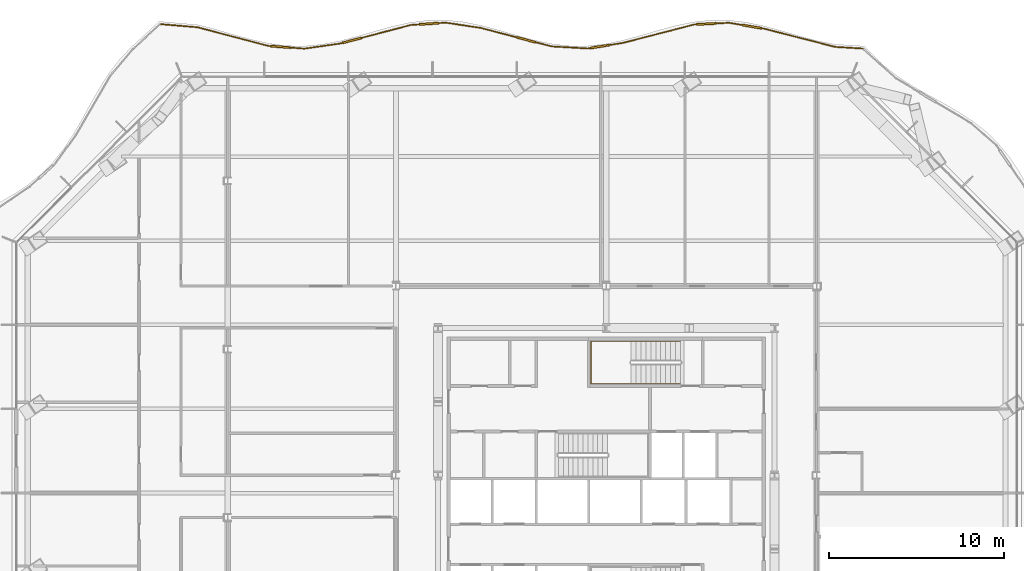
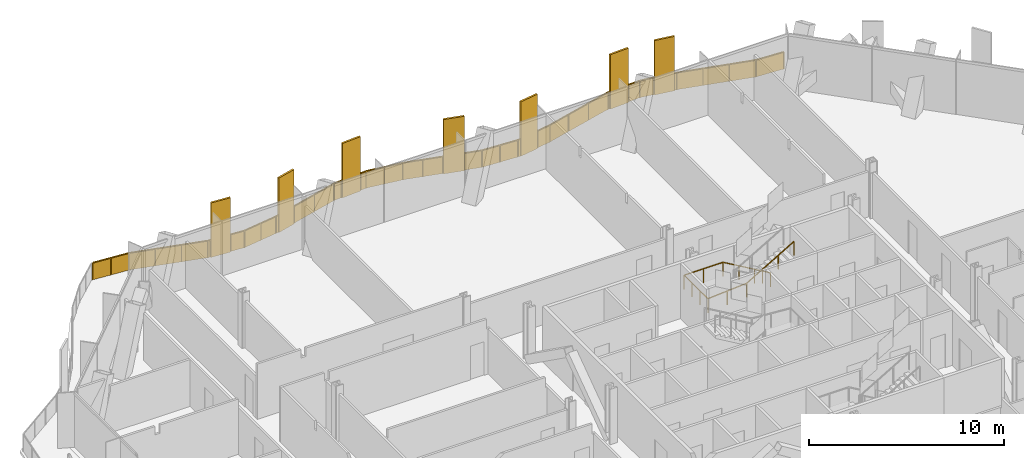
# One storey, part 18 of 19: 2 railings.
"""IFC4 building model written with IfcOpenShell, lengths in metres."""

import ifcopenshell
import ifcopenshell.guid

model = None  # the IFC model being written
_history = None  # IfcOwnerHistory: only IFC2X3 demands one
_inside = {}  # id of a spatial element -> (the spatial element, [elements in it])
_under = {}  # id of a project, library or spatial element -> (it, [spatial elements below it])
_declared = {}  # id of a project -> (the project, [libraries it declares])
_typed = {}  # id of a type object -> (the type object, [elements of that type])
_made_of = {}  # id of a material, layer set ... -> (it, [elements and type objects made of it])


def new_model(schema):
    """Start an empty IFC model of exactly this schema.

    Asked for "IFC4X3", IfcOpenShell would pick the latest addendum, in which some entities
    have other attributes; the version numbers below select the first issue.
    IFC2X3 requires an IfcOwnerHistory on every rooted entity: one is made here for all.
    """
    global model, _history
    if schema == "IFC4X3":
        model = ifcopenshell.file(schema_version=(4, 3, 0, 0))
    else:
        model = ifcopenshell.file(schema=schema)
    _inside.clear()
    _under.clear()
    _declared.clear()
    _typed.clear()
    _made_of.clear()
    _history = None
    if model.schema == "IFC2X3":
        org = make("IfcOrganization", Name="unknown")
        user = make(
            "IfcPersonAndOrganization",
            ThePerson=make("IfcPerson", FamilyName="unknown"),
            TheOrganization=org,
        )
        app = make(
            "IfcApplication",
            ApplicationDeveloper=org,
            Version="unknown",
            ApplicationFullName="unknown",
            ApplicationIdentifier="unknown",
        )
        _history = make(
            "IfcOwnerHistory",
            OwningUser=user,
            OwningApplication=app,
            ChangeAction="ADDED",
            CreationDate=0,
        )
    return model


def make(cls, **values):
    """One entity of the class cls with the attributes given. An attribute that is None is left unset."""
    return model.create_entity(
        cls, **{name: value for name, value in values.items() if value is not None}
    )


def rooted(cls, **values):
    """An entity with a GlobalId (a new one), such as an element, a storey or a relation."""
    return make(cls, GlobalId=ifcopenshell.guid.new(), OwnerHistory=_history, **values)


def si_unit(unit_type, name, prefix=None):
    """IfcSIUnit, for example si_unit("LENGTHUNIT", "METRE", prefix="MILLI")."""
    return make("IfcSIUnit", UnitType=unit_type, Prefix=prefix, Name=name)


def assignment(units):
    """IfcUnitAssignment: the units of a project."""
    return None if units is None else make("IfcUnitAssignment", Units=units)


def point(xyz):
    """IfcCartesianPoint."""
    return None if xyz is None else make("IfcCartesianPoint", Coordinates=xyz)


def direction(xyz):
    """IfcDirection."""
    return None if xyz is None else make("IfcDirection", DirectionRatios=xyz)


def frame(location, z_axis=None, x_axis=None):
    """IfcAxis2Placement3D, a coordinate frame: its origin and axes. An axis left out is left unset."""
    return make(
        "IfcAxis2Placement3D",
        Location=point(location),
        Axis=direction(z_axis),
        RefDirection=direction(x_axis),
    )


def frame_2d(location, x_axis=None):
    """IfcAxis2Placement2D, a coordinate frame in the plane: its origin and x axis."""
    return make(
        "IfcAxis2Placement2D", Location=point(location), RefDirection=direction(x_axis)
    )


def origin():
    """The frame at (0, 0, 0) with its axes left unset."""
    return frame((0.0, 0.0, 0.0))


def origin_2d():
    """The frame at (0, 0) in the plane with its x axis left unset."""
    return frame_2d((0.0, 0.0))


def place(relative_to, where):
    """IfcLocalPlacement: puts the frame where relative to a parent placement (None: the world)."""
    return make(
        "IfcLocalPlacement", PlacementRelTo=relative_to, RelativePlacement=where
    )


def context(
    kind, dimensions, precision=None, world=None, true_north=None, identifier=None
):
    """IfcGeometricRepresentationContext, for example the 3D "Model" context."""
    return make(
        "IfcGeometricRepresentationContext",
        ContextIdentifier=identifier,
        ContextType=kind,
        CoordinateSpaceDimension=dimensions,
        Precision=precision,
        WorldCoordinateSystem=world,
        TrueNorth=true_north,
    )


def subcontext(parent, identifier, kind, view, scale=None):
    """IfcGeometricRepresentationSubContext, for example "Body" below "Model"."""
    return make(
        "IfcGeometricRepresentationSubContext",
        ContextIdentifier=identifier,
        ContextType=kind,
        ParentContext=parent,
        TargetScale=scale,
        TargetView=view,
    )


def project(units=None, contexts=None):
    """IfcProject with its units and contexts."""
    return rooted(
        "IfcProject",
        Name="project",
        RepresentationContexts=contexts,
        UnitsInContext=assignment(units),
    )


def spatial(cls, under=None, at=None, **own):
    """A site, building, storey or space (cls), placed at a placement, below another one or the project."""
    s = rooted(cls, ObjectPlacement=at, **own)
    if under is not None:
        _under.setdefault(under.id(), (under, []))[1].append(s)
    return s


def polyline(points):
    """IfcPolyline through the points."""
    return make("IfcPolyline", Points=[point(p) for p in points])


def profile(cls, at=None, kind="AREA", **sizes):
    """A parametric profile (cls). Its sizes go by their IFC names, for example OverallWidth=200.0."""
    return make(cls, ProfileType=kind, Position=at, **sizes)


def rectangle(**sizes):
    """IfcRectangleProfileDef."""
    return profile("IfcRectangleProfileDef", **sizes)


def outline(outer, holes=None, kind="AREA"):
    """IfcArbitraryClosedProfileDef: a profile drawn as a closed curve; with holes, ...WithVoids."""
    if holes is None:
        return make("IfcArbitraryClosedProfileDef", ProfileType=kind, OuterCurve=outer)
    return make(
        "IfcArbitraryProfileDefWithVoids",
        ProfileType=kind,
        OuterCurve=outer,
        InnerCurves=holes,
    )


def extrude(swept, where, along, depth):
    """IfcExtrudedAreaSolid: the profile swept, set in the frame where, extruded along a direction by depth."""
    return make(
        "IfcExtrudedAreaSolid",
        SweptArea=swept,
        Position=where,
        ExtrudedDirection=direction(along),
        Depth=depth,
    )


def shape(context_of_items, identifier, shape_type, items):
    """IfcShapeRepresentation: the items that make up one representation, for example the "Body"."""
    return make(
        "IfcShapeRepresentation",
        ContextOfItems=context_of_items,
        RepresentationIdentifier=identifier,
        RepresentationType=shape_type,
        Items=items,
    )


def material(Name=None, Category=None):
    """IfcMaterial."""
    return make("IfcMaterial", Name=Name, Category=Category)


def made_of(thing, what):
    """Note that an element or type object is made of a material, layer set ...; save() writes the relation."""
    if what is not None:
        _made_of.setdefault(what.id(), (what, []))[1].append(thing)
    return thing


def type_object(cls, material=None, **own):
    """A type object (cls), such as IfcWallType, which elements share."""
    return made_of(rooted(cls, **own), material)


def element(
    cls,
    number,
    at=None,
    inside=None,
    cuts=None,
    type_object=None,
    material=None,
    context=None,
    identifier="Body",
    shape_type=None,
    held_by="IfcProductDefinitionShape",
    body=None,
    shapes=None,
    **own,
):
    """One element of the class cls, such as IfcWall. Its Tag is "e" and its number.

    at: its placement. inside: the storey or other place that contains it. cuts: it is an
    opening in that element (IfcRelVoidsElement). A single representation is given by context,
    identifier, shape_type and body (its items); several are given by shapes. held_by: the class
    of the entity that holds the representations. save() writes the other relations.
    """
    e = rooted(cls, Tag="e%d" % number, ObjectPlacement=at, **own)
    if body is not None:
        shapes = [shape(context, identifier, shape_type, body)]
    if shapes is not None:
        e.Representation = make(held_by, Representations=shapes)
    if inside is not None:
        _inside.setdefault(inside.id(), (inside, []))[1].append(e)
    if cuts is not None:
        rooted(
            "IfcRelVoidsElement", RelatingBuildingElement=cuts, RelatedOpeningElement=e
        )
    if type_object is not None:
        _typed.setdefault(type_object.id(), (type_object, []))[1].append(e)
    return made_of(e, material)


def aggregate(whole, parts):
    """IfcRelAggregates: a whole, such as a stair, and the parts it consists of."""
    return rooted("IfcRelAggregates", RelatingObject=whole, RelatedObjects=parts)


def save(model, path):
    """Write the relations noted so far, then the file.

    IfcRelAggregates (storeys below a building ...), IfcRelContainedInSpatialStructure (elements
    in a storey), IfcRelDefinesByType, IfcRelAssociatesMaterial and IfcRelDeclares: one each for
    every whole, place, type object, material and project.
    """
    for whole, parts in _under.values():
        aggregate(whole, parts)
    for where, things in _inside.values():
        rooted(
            "IfcRelContainedInSpatialStructure",
            RelatedElements=things,
            RelatingStructure=where,
        )
    for kind, things in _typed.values():
        rooted("IfcRelDefinesByType", RelatedObjects=things, RelatingType=kind)
    for what, things in _made_of.values():
        rooted("IfcRelAssociatesMaterial", RelatedObjects=things, RelatingMaterial=what)
    for by, libraries in _declared.values():
        rooted("IfcRelDeclares", RelatingContext=by, RelatedDefinitions=libraries)
    model.write(path)


model = new_model("IFC4")

# Units and contexts
model_context = context("Model", 3, precision=1e-05, world=origin(), true_north=direction((0.0, 1.0)))
body_context = subcontext(model_context, "Body", "Model", "MODEL_VIEW")
ifc_project = project(units=[si_unit("LENGTHUNIT", "METRE"), si_unit("AREAUNIT", "SQUARE_METRE"), si_unit("VOLUMEUNIT", "CUBIC_METRE"), si_unit("PLANEANGLEUNIT", "RADIAN"), si_unit("MASSUNIT", "GRAM", prefix="KILO")], contexts=[model_context])

# Site, building, storey
site_placement = place(None, origin())
site = spatial("IfcSite", under=ifc_project, at=site_placement, CompositionType="ELEMENT")
building_placement = place(site_placement, origin())
building = spatial("IfcBuilding", under=site, at=building_placement, Name="Cairn Pilgrim Tower", CompositionType="ELEMENT")
storey_placement = place(building_placement, frame((0.0, 0.0, 97.800048828125)))
storey = spatial("IfcBuildingStorey", under=building, at=storey_placement, Name="L23", CompositionType="ELEMENT", Elevation=97.800048828125)

# Railings
ifc_material_1 = material(Name="Bronze anodised aluminium rail, posts and fin screens with laminated glass infill", Category="aluminium")
railing_type_1 = type_object("IfcRailingType", Name="BALCONY GUARD WITH FIN SCREENS", PredefinedType="GUARDRAIL", material=ifc_material_1)
railing_1_placement = place(storey_placement, frame((21.85009765625, 26.751953125, 0.0)))
element("IfcRailing", 1, at=railing_1_placement, inside=storey, type_object=railing_type_1, Name="Balcony guard BGF-5 with fin screens", PredefinedType="GUARDRAIL", context=body_context, shape_type="SweptSolid", body=[
    extrude(rectangle(XDim=0.050048828125, YDim=0.050048828125, at=origin_2d()), frame((0.0, 0.0, 1.0751953125), z_axis=(-0.998218141407, 0.059670278748, 0.0), x_axis=(-0.059670278748, -0.998218141407, 0.0)), (0.0, 0.0, 1.0), 1.599853515625),
    extrude(rectangle(XDim=0.050048828125, YDim=0.050048828125, at=origin_2d()), frame((-1.596923828125, 0.095458984375, 1.0751953125), z_axis=(-0.96855607418, 0.248795360024, 0.0), x_axis=(-0.248795360024, -0.96855607418, 0.0)), (0.0, 0.0, 1.0), 4.181396484375),
    extrude(rectangle(XDim=1.10009765625, YDim=0.110107421875, at=origin_2d()), frame((-6.337158203125, 1.251220703125, 0.0), z_axis=(0.0, 0.0, 1.0), x_axis=(-0.986305870656, 0.164926436659, 0.0)), (0.0, 0.0, 1.0), 3.39990234375),
    extrude(rectangle(XDim=0.050048828125, YDim=0.050048828125, at=origin_2d()), frame((-5.646728515625, 1.1357421875, 1.0751953125), z_axis=(-0.986305870656, 0.164926436659, 0.0), x_axis=(-0.164926436659, -0.986305870656, 0.0)), (0.0, 0.0, 1.0), 0.14990234375),
    extrude(rectangle(XDim=0.050048828125, YDim=0.050048828125, at=origin_2d()), frame((-6.879638671875, 1.341796875, 1.0751953125), z_axis=(-0.986305870656, 0.164926436659, 0.0), x_axis=(-0.164926436659, -0.986305870656, 0.0)), (0.0, 0.0, 1.0), 0.776611328125),
    extrude(rectangle(XDim=1.10009765625, YDim=0.110107421875, at=origin_2d()), frame((-8.935791015625, 1.40673828125, 0.0), z_axis=(0.0, 0.0, 1.0), x_axis=(-0.998797465844, -0.049026750072, 0.0)), (0.0, 0.0, 1.0), 3.39990234375),
    extrude(rectangle(XDim=0.050048828125, YDim=0.050048828125, at=origin_2d()), frame((-7.6455078125, 1.469970703125, 1.0751953125), z_axis=(-0.998797465844, -0.049026750072, 0.0), x_axis=(0.049026750072, -0.998797465844, 0.0)), (0.0, 0.0, 1.0), 0.74169921875),
    extrude(rectangle(XDim=0.050048828125, YDim=0.050048828125, at=origin_2d()), frame((-9.485107421875, 1.379638671875, 1.0751953125), z_axis=(-0.998797465844, -0.049026750072, 0.0), x_axis=(0.049026750072, -0.998797465844, 0.0)), (0.0, 0.0, 1.0), 0.150146484375),
    extrude(rectangle(XDim=0.050048828125, YDim=0.050048828125, at=origin_2d()), frame((-9.635009765625, 1.372314453125, 1.0751953125), z_axis=(-0.968110661375, -0.250522947715, 0.0), x_axis=(0.250522947715, -0.968110661375, 0.0)), (0.0, 0.0, 1.0), 4.1669921875),
    extrude(rectangle(XDim=1.10009765625, YDim=0.110107421875, at=origin_2d()), frame((-15.02197265625, 0.112548828125, 0.0), z_axis=(0.0, 0.0, 1.0), x_axis=(-0.987526595636, -0.157452287731, 0.0)), (0.0, 0.0, 1.0), 3.39990234375),
    extrude(rectangle(XDim=0.050048828125, YDim=0.050048828125, at=origin_2d()), frame((-13.669189453125, 0.328369140625, 1.0751953125), z_axis=(-0.987526595636, -0.157452287731, 0.0), x_axis=(0.157452287731, -0.987526595636, 0.0)), (0.0, 0.0, 1.0), 0.820068359375),
    extrude(rectangle(XDim=0.050048828125, YDim=0.050048828125, at=origin_2d()), frame((-15.565185546875, 0.026123046875, 1.0751953125), z_axis=(-0.987526595636, -0.157452287731, 0.0), x_axis=(0.157452287731, -0.987526595636, 0.0)), (0.0, 0.0, 1.0), 0.150146484375),
    extrude(rectangle(XDim=0.050048828125, YDim=0.050048828125, at=origin_2d()), frame((-15.71337890625, 0.00244140625, 1.0751953125), z_axis=(-0.998298046355, 0.058318184504, 0.0), x_axis=(-0.058318184504, -0.998298046355, 0.0)), (0.0, 0.0, 1.0), 2.055419921875),
    extrude(rectangle(XDim=1.10009765625, YDim=0.110107421875, at=origin_2d()), frame((-19.21337890625, 0.49951171875, 0.0), z_axis=(0.0, 0.0, 1.0), x_axis=(-0.967706443735, 0.252079826154, 0.0)), (0.0, 0.0, 1.0), 3.39990234375),
    extrude(rectangle(XDim=0.050048828125, YDim=0.050048828125, at=origin_2d()), frame((-17.765380859375, 0.122314453125, 1.0751953125), z_axis=(-0.967706443735, 0.252079826154, 0.0), x_axis=(-0.252079826154, -0.967706443735, 0.0)), (0.0, 0.0, 1.0), 0.9462890625),
    extrude(rectangle(XDim=0.050048828125, YDim=0.050048828125, at=origin_2d()), frame((-19.74560546875, 0.63818359375, 1.0751953125), z_axis=(-0.967706443735, 0.252079826154, 0.0), x_axis=(-0.252079826154, -0.967706443735, 0.0)), (0.0, 0.0, 1.0), 2.1376953125),
    extrude(rectangle(XDim=0.050048828125, YDim=0.050048828125, at=origin_2d()), frame((-21.814208984375, 1.177001953125, 1.0751953125), z_axis=(-0.988740446314, 0.149640669014, 0.0), x_axis=(-0.149640669014, -0.988740446314, 0.0)), (0.0, 0.0, 1.0), 2.019775390625),
    extrude(rectangle(XDim=1.10009765625, YDim=0.110107421875, at=origin_2d()), frame((-24.767333984375, 1.41455078125, 0.0), z_axis=(0.0, 0.0, 1.0), x_axis=(-0.9977246534, -0.067420441995, 0.0)), (0.0, 0.0, 1.0), 3.39990234375),
    extrude(rectangle(XDim=0.050048828125, YDim=0.050048828125, at=origin_2d()), frame((-23.811279296875, 1.479248046875, 1.0751953125), z_axis=(-0.9977246534, -0.067420441995, 0.0), x_axis=(0.067420441995, -0.9977246534, 0.0)), (0.0, 0.0, 1.0), 0.408203125),
    extrude(rectangle(XDim=0.050048828125, YDim=0.050048828125, at=origin_2d()), frame((-25.31591796875, 1.377685546875, 1.0751953125), z_axis=(-0.9977246534, -0.067420441995, 0.0), x_axis=(0.067420441995, -0.9977246534, 0.0)), (0.0, 0.0, 1.0), 0.487060546875),
    extrude(rectangle(XDim=1.10009765625, YDim=0.110107421875, at=origin_2d()), frame((-29.1611328125, 0.465087890625, 0.0), z_axis=(0.0, 0.0, 1.0), x_axis=(-0.9673770032, -0.253341140913, 0.0)), (0.0, 0.0, 1.0), 3.39990234375),
    extrude(rectangle(XDim=0.050048828125, YDim=0.050048828125, at=origin_2d()), frame((-25.802001953125, 1.3447265625, 1.0751953125), z_axis=(-0.9673770032, -0.253341140913, 0.0), x_axis=(0.253341140913, -0.9673770032, 0.0)), (0.0, 0.0, 1.0), 2.922607421875),
    extrude(rectangle(XDim=0.050048828125, YDim=0.050048828125, at=origin_2d()), frame((-29.693359375, 0.32568359375, 1.0751953125), z_axis=(-0.9673770032, -0.253341140913, 0.0), x_axis=(0.253341140913, -0.9673770032, 0.0)), (0.0, 0.0, 1.0), 0.150146484375),
    extrude(rectangle(XDim=0.050048828125, YDim=0.050048828125, at=origin_2d()), frame((-29.838623046875, 0.28759765625, 1.0751953125), z_axis=(-0.98989981369, -0.141768680801, 0.0), x_axis=(0.141768680801, -0.98989981369, 0.0)), (0.0, 0.0, 1.0), 2.06640625),
    extrude(rectangle(XDim=1.10009765625, YDim=0.110107421875, at=origin_2d()), frame((-33.2373046875, 0.098388671875, 0.0), z_axis=(0.0, 0.0, 1.0), x_axis=(-0.997074697067, 0.07643329424, 0.0)), (0.0, 0.0, 1.0), 3.39990234375),
    extrude(rectangle(XDim=0.050048828125, YDim=0.050048828125, at=origin_2d()), frame((-31.88427734375, -0.00537109375, 1.0751953125), z_axis=(-0.997074697067, 0.07643329424, 0.0), x_axis=(-0.07643329424, -0.997074697067, 0.0)), (0.0, 0.0, 1.0), 0.80712890625),
    extrude(rectangle(XDim=0.050048828125, YDim=0.050048828125, at=origin_2d()), frame((-33.78564453125, 0.140380859375, 1.0751953125), z_axis=(-0.997074697067, 0.07643329424, 0.0), x_axis=(-0.07643329424, -0.997074697067, 0.0)), (0.0, 0.0, 1.0), 0.14990234375),
    extrude(rectangle(XDim=0.050048828125, YDim=0.050048828125, at=origin_2d()), frame((-33.935302734375, 0.15185546875, 1.0751953125), z_axis=(-0.967112353025, 0.254349555977, 0.0), x_axis=(-0.254349555977, -0.967112353025, 0.0)), (0.0, 0.0, 1.0), 4.18017578125),
    extrude(rectangle(XDim=0.050048828125, YDim=0.050048828125, at=origin_2d()), frame((-37.97802734375, 1.215087890625, 1.0751953125), z_axis=(-0.996431809888, 0.084401707581, 0.0), x_axis=(-0.084401707581, -0.996431809888, 0.0)), (0.0, 0.0, 1.0), 2.08544921875),
    extrude(rectangle(XDim=0.050048828125, YDim=0.050048828125, at=origin_2d()), origin(), (0.0, 0.0, 1.0), 1.050048828125),
    extrude(rectangle(XDim=0.050048828125, YDim=0.050048828125, at=origin_2d()), frame((-1.596923828125, 0.095458984375, 0.0)), (0.0, 0.0, 1.0), 1.050048828125),
    extrude(rectangle(XDim=0.050048828125, YDim=0.050048828125, at=origin_2d()), frame((-2.94677734375, 0.442138671875, 0.0)), (0.0, 0.0, 1.0), 1.050048828125),
    extrude(rectangle(XDim=0.050048828125, YDim=0.050048828125, at=origin_2d()), frame((-4.296875, 0.7890625, 0.0)), (0.0, 0.0, 1.0), 1.050048828125),
    extrude(rectangle(XDim=0.050048828125, YDim=0.050048828125, at=origin_2d()), frame((-5.646728515625, 1.1357421875, 0.0)), (0.0, 0.0, 1.0), 1.050048828125),
    extrude(rectangle(XDim=0.050048828125, YDim=0.050048828125, at=origin_2d()), frame((-5.77001953125, 1.15625, 0.0)), (0.0, 0.0, 1.0), 1.050048828125),
    extrude(rectangle(XDim=0.050048828125, YDim=0.050048828125, at=origin_2d()), frame((-6.904296875, 1.345947265625, 0.0)), (0.0, 0.0, 1.0), 1.050048828125),
    extrude(rectangle(XDim=0.050048828125, YDim=0.050048828125, at=origin_2d()), frame((-7.6455078125, 1.469970703125, 0.0)), (0.0, 0.0, 1.0), 1.050048828125),
    extrude(rectangle(XDim=0.050048828125, YDim=0.050048828125, at=origin_2d()), frame((-8.361328125, 1.434814453125, 0.0)), (0.0, 0.0, 1.0), 1.050048828125),
    extrude(rectangle(XDim=0.050048828125, YDim=0.050048828125, at=origin_2d()), frame((-9.510009765625, 1.37841796875, 0.0)), (0.0, 0.0, 1.0), 1.050048828125),
    extrude(rectangle(XDim=0.050048828125, YDim=0.050048828125, at=origin_2d()), frame((-9.635009765625, 1.372314453125, 0.0)), (0.0, 0.0, 1.0), 1.050048828125),
    extrude(rectangle(XDim=0.050048828125, YDim=0.050048828125, at=origin_2d()), frame((-10.979736328125, 1.0244140625, 0.0)), (0.0, 0.0, 1.0), 1.050048828125),
    extrude(rectangle(XDim=0.050048828125, YDim=0.050048828125, at=origin_2d()), frame((-12.324462890625, 0.67626953125, 0.0)), (0.0, 0.0, 1.0), 1.050048828125),
    extrude(rectangle(XDim=0.050048828125, YDim=0.050048828125, at=origin_2d()), frame((-13.669189453125, 0.328369140625, 0.0)), (0.0, 0.0, 1.0), 1.050048828125),
    extrude(rectangle(XDim=0.050048828125, YDim=0.050048828125, at=origin_2d()), frame((-14.4541015625, 0.203125, 0.0)), (0.0, 0.0, 1.0), 1.050048828125),
    extrude(rectangle(XDim=0.050048828125, YDim=0.050048828125, at=origin_2d()), frame((-15.58984375, 0.022216796875, 0.0)), (0.0, 0.0, 1.0), 1.050048828125),
    extrude(rectangle(XDim=0.050048828125, YDim=0.050048828125, at=origin_2d()), frame((-15.71337890625, 0.00244140625, 0.0)), (0.0, 0.0, 1.0), 1.050048828125),
    extrude(rectangle(XDim=0.050048828125, YDim=0.050048828125, at=origin_2d()), frame((-16.7392578125, 0.0625, 0.0)), (0.0, 0.0, 1.0), 1.050048828125),
    extrude(rectangle(XDim=0.050048828125, YDim=0.050048828125, at=origin_2d()), frame((-17.765380859375, 0.122314453125, 0.0)), (0.0, 0.0, 1.0), 1.050048828125),
    extrude(rectangle(XDim=0.050048828125, YDim=0.050048828125, at=origin_2d()), frame((-18.65673828125, 0.3544921875, 0.0)), (0.0, 0.0, 1.0), 1.050048828125),
    extrude(rectangle(XDim=0.050048828125, YDim=0.050048828125, at=origin_2d()), frame((-19.769775390625, 0.64453125, 0.0)), (0.0, 0.0, 1.0), 1.050048828125),
    extrude(rectangle(XDim=0.050048828125, YDim=0.050048828125, at=origin_2d()), frame((-20.7919921875, 0.91064453125, 0.0)), (0.0, 0.0, 1.0), 1.050048828125),
    extrude(rectangle(XDim=0.050048828125, YDim=0.050048828125, at=origin_2d()), frame((-21.814208984375, 1.177001953125, 0.0)), (0.0, 0.0, 1.0), 1.050048828125),
    extrude(rectangle(XDim=0.050048828125, YDim=0.050048828125, at=origin_2d()), frame((-22.812744140625, 1.328125, 0.0)), (0.0, 0.0, 1.0), 1.050048828125),
    extrude(rectangle(XDim=0.050048828125, YDim=0.050048828125, at=origin_2d()), frame((-23.811279296875, 1.479248046875, 0.0)), (0.0, 0.0, 1.0), 1.050048828125),
    extrude(rectangle(XDim=0.050048828125, YDim=0.050048828125, at=origin_2d()), frame((-24.193603515625, 1.453369140625, 0.0)), (0.0, 0.0, 1.0), 1.050048828125),
    extrude(rectangle(XDim=0.050048828125, YDim=0.050048828125, at=origin_2d()), frame((-25.341064453125, 1.3759765625, 0.0)), (0.0, 0.0, 1.0), 1.050048828125),
    extrude(rectangle(XDim=0.050048828125, YDim=0.050048828125, at=origin_2d()), frame((-25.802001953125, 1.3447265625, 0.0)), (0.0, 0.0, 1.0), 1.050048828125),
    extrude(rectangle(XDim=0.050048828125, YDim=0.050048828125, at=origin_2d()), frame((-27.203369140625, 0.977783203125, 0.0)), (0.0, 0.0, 1.0), 1.050048828125),
    extrude(rectangle(XDim=0.050048828125, YDim=0.050048828125, at=origin_2d()), frame((-28.60498046875, 0.610595703125, 0.0)), (0.0, 0.0, 1.0), 1.050048828125),
    extrude(rectangle(XDim=0.050048828125, YDim=0.050048828125, at=origin_2d()), frame((-29.717529296875, 0.3193359375, 0.0)), (0.0, 0.0, 1.0), 1.050048828125),
    extrude(rectangle(XDim=0.050048828125, YDim=0.050048828125, at=origin_2d()), frame((-29.838623046875, 0.28759765625, 0.0)), (0.0, 0.0, 1.0), 1.050048828125),
    extrude(rectangle(XDim=0.050048828125, YDim=0.050048828125, at=origin_2d()), frame((-30.861328125, 0.14111328125, 0.0)), (0.0, 0.0, 1.0), 1.050048828125),
    extrude(rectangle(XDim=0.050048828125, YDim=0.050048828125, at=origin_2d()), frame((-31.88427734375, -0.00537109375, 0.0)), (0.0, 0.0, 1.0), 1.050048828125),
    extrude(rectangle(XDim=0.050048828125, YDim=0.050048828125, at=origin_2d()), frame((-32.6640625, 0.054443359375, 0.0)), (0.0, 0.0, 1.0), 1.050048828125),
    extrude(rectangle(XDim=0.050048828125, YDim=0.050048828125, at=origin_2d()), frame((-33.810791015625, 0.142333984375, 0.0)), (0.0, 0.0, 1.0), 1.050048828125),
    extrude(rectangle(XDim=0.050048828125, YDim=0.050048828125, at=origin_2d()), frame((-33.935302734375, 0.15185546875, 0.0)), (0.0, 0.0, 1.0), 1.050048828125),
    extrude(rectangle(XDim=0.050048828125, YDim=0.050048828125, at=origin_2d()), frame((-35.282958984375, 0.50634765625, 0.0)), (0.0, 0.0, 1.0), 1.050048828125),
    extrude(rectangle(XDim=0.050048828125, YDim=0.050048828125, at=origin_2d()), frame((-36.63037109375, 0.860595703125, 0.0)), (0.0, 0.0, 1.0), 1.050048828125),
    extrude(rectangle(XDim=0.050048828125, YDim=0.050048828125, at=origin_2d()), frame((-37.97802734375, 1.215087890625, 0.0)), (0.0, 0.0, 1.0), 1.050048828125),
    extrude(rectangle(XDim=0.050048828125, YDim=0.050048828125, at=origin_2d()), frame((-39.01708984375, 1.30322265625, 0.0)), (0.0, 0.0, 1.0), 1.050048828125),
    extrude(rectangle(XDim=0.050048828125, YDim=0.050048828125, at=origin_2d()), frame((-40.05615234375, 1.39111328125, 0.0)), (0.0, 0.0, 1.0), 1.050048828125),
    extrude(outline(polyline([(0.02490234375, 0.0), (1.57470703125, 0.0), (1.57470703125, 1.050048828125), (0.02490234375, 1.050048828125), (0.02490234375, 0.0)])), frame((-0.000244140625, -0.005859375, 0.0), z_axis=(0.059670278748, 0.998218141407, 0.0), x_axis=(-0.998218141407, 0.059670278748, 0.0)), (0.0, 0.0, 1.0), 0.011962890625),
    extrude(outline(polyline([(0.02490234375, 0.0), (1.36865234375, 0.0), (1.36865234375, 1.050048828125), (0.02490234375, 1.050048828125), (0.02490234375, 0.0)])), frame((-1.598388671875, 0.089599609375, 0.0), z_axis=(0.248795360024, 0.96855607418, 0.0), x_axis=(-0.96855607418, 0.248795360024, 0.0)), (0.0, 0.0, 1.0), 0.011962890625),
    extrude(outline(polyline([(0.02490234375, 0.0), (1.36865234375, 0.0), (1.36865234375, 1.050048828125), (0.02490234375, 1.050048828125), (0.02490234375, 0.0)])), frame((-2.9482421875, 0.4365234375, 0.0), z_axis=(0.248795360024, 0.96855607418, 0.0), x_axis=(-0.96855607418, 0.248795360024, 0.0)), (0.0, 0.0, 1.0), 0.011962890625),
    extrude(outline(polyline([(0.02490234375, 0.0), (1.36865234375, 0.0), (1.36865234375, 1.050048828125), (0.02490234375, 1.050048828125), (0.02490234375, 0.0)])), frame((-4.29833984375, 0.783203125, 0.0), z_axis=(0.248795360024, 0.96855607418, 0.0), x_axis=(-0.96855607418, 0.248795360024, 0.0)), (0.0, 0.0, 1.0), 0.011962890625),
    extrude(outline(polyline([(0.02490234375, 0.0), (0.099853515625, 0.0), (0.099853515625, 1.050048828125), (0.02490234375, 1.050048828125), (0.02490234375, 0.0)])), frame((-5.647705078125, 1.1298828125, 0.0), z_axis=(0.164926436659, 0.986305870656, 0.0), x_axis=(-0.986305870656, 0.164926436659, 0.0)), (0.0, 0.0, 1.0), 0.011962890625),
    extrude(outline(polyline([(0.02490234375, 0.0), (0.7265625, 0.0), (0.7265625, 1.050048828125), (0.02490234375, 1.050048828125), (0.02490234375, 0.0)])), frame((-6.9052734375, 1.340087890625, 0.0), z_axis=(0.164926436659, 0.986305870656, 0.0), x_axis=(-0.986305870656, 0.164926436659, 0.0)), (0.0, 0.0, 1.0), 0.011962890625),
    extrude(outline(polyline([(0.02490234375, 0.0), (0.691650390625, 0.0), (0.691650390625, 1.050048828125), (0.02490234375, 1.050048828125), (0.02490234375, 0.0)])), frame((-7.645263671875, 1.464111328125, 0.0), z_axis=(-0.049026750072, 0.998797465844, 0.0), x_axis=(-0.998797465844, -0.049026750072, 0.0)), (0.0, 0.0, 1.0), 0.011962890625),
    extrude(outline(polyline([(0.02490234375, 0.0), (0.10009765625, 0.0), (0.10009765625, 1.050048828125), (0.02490234375, 1.050048828125), (0.02490234375, 0.0)])), frame((-9.509765625, 1.37255859375, 0.0), z_axis=(-0.049026750072, 0.998797465844, 0.0), x_axis=(-0.998797465844, -0.049026750072, 0.0)), (0.0, 0.0, 1.0), 0.011962890625),
    extrude(outline(polyline([(0.02490234375, 0.0), (1.364013671875, 0.0), (1.364013671875, 1.050048828125), (0.02490234375, 1.050048828125), (0.02490234375, 0.0)])), frame((-9.633544921875, 1.366455078125, 0.0), z_axis=(-0.250522947715, 0.968110661375, 0.0), x_axis=(-0.968110661375, -0.250522947715, 0.0)), (0.0, 0.0, 1.0), 0.011962890625),
    extrude(outline(polyline([(0.02490234375, 0.0), (1.364013671875, 0.0), (1.364013671875, 1.050048828125), (0.02490234375, 1.050048828125), (0.02490234375, 0.0)])), frame((-10.978271484375, 1.0185546875, 0.0), z_axis=(-0.250522947715, 0.968110661375, 0.0), x_axis=(-0.968110661375, -0.250522947715, 0.0)), (0.0, 0.0, 1.0), 0.011962890625),
    extrude(outline(polyline([(0.02490234375, 0.0), (1.364013671875, 0.0), (1.364013671875, 1.050048828125), (0.02490234375, 1.050048828125), (0.02490234375, 0.0)])), frame((-12.322998046875, 0.670654296875, 0.0), z_axis=(-0.250522947715, 0.968110661375, 0.0), x_axis=(-0.968110661375, -0.250522947715, 0.0)), (0.0, 0.0, 1.0), 0.011962890625),
    extrude(outline(polyline([(0.02490234375, 0.0), (0.77001953125, 0.0), (0.77001953125, 1.050048828125), (0.02490234375, 1.050048828125), (0.02490234375, 0.0)])), frame((-13.668212890625, 0.322509765625, 0.0), z_axis=(-0.157452287731, 0.987526595636, 0.0), x_axis=(-0.987526595636, -0.157452287731, 0.0)), (0.0, 0.0, 1.0), 0.011962890625),
    extrude(outline(polyline([(0.02490234375, 0.0), (0.10009765625, 0.0), (0.10009765625, 1.050048828125), (0.02490234375, 1.050048828125), (0.02490234375, 0.0)])), frame((-15.5888671875, 0.01611328125, 0.0), z_axis=(-0.157452287731, 0.987526595636, 0.0), x_axis=(-0.987526595636, -0.157452287731, 0.0)), (0.0, 0.0, 1.0), 0.011962890625),
    extrude(outline(polyline([(0.02490234375, 0.0), (1.002685546875, 0.0), (1.002685546875, 1.050048828125), (0.02490234375, 1.050048828125), (0.02490234375, 0.0)])), frame((-15.713623046875, -0.00341796875, 0.0), z_axis=(0.058318184504, 0.998298046355, 0.0), x_axis=(-0.998298046355, 0.058318184504, 0.0)), (0.0, 0.0, 1.0), 0.011962890625),
    extrude(outline(polyline([(0.02490234375, 0.0), (1.002685546875, 0.0), (1.002685546875, 1.050048828125), (0.02490234375, 1.050048828125), (0.02490234375, 0.0)])), frame((-16.73974609375, 0.056396484375, 0.0), z_axis=(0.058318184504, 0.998298046355, 0.0), x_axis=(-0.998298046355, 0.058318184504, 0.0)), (0.0, 0.0, 1.0), 0.011962890625),
    extrude(outline(polyline([(0.02490234375, 0.0), (0.896240234375, 0.0), (0.896240234375, 1.050048828125), (0.02490234375, 1.050048828125), (0.02490234375, 0.0)])), frame((-17.766845703125, 0.116455078125, 0.0), z_axis=(0.252079826154, 0.967706443735, 0.0), x_axis=(-0.967706443735, 0.252079826154, 0.0)), (0.0, 0.0, 1.0), 0.011962890625),
    extrude(outline(polyline([(0.02490234375, 0.0), (1.03125, 0.0), (1.03125, 1.050048828125), (0.02490234375, 1.050048828125), (0.02490234375, 0.0)])), frame((-19.771240234375, 0.638671875, 0.0), z_axis=(0.252079826154, 0.967706443735, 0.0), x_axis=(-0.967706443735, 0.252079826154, 0.0)), (0.0, 0.0, 1.0), 0.011962890625),
    extrude(outline(polyline([(0.02490234375, 0.0), (1.03125, 0.0), (1.03125, 1.050048828125), (0.02490234375, 1.050048828125), (0.02490234375, 0.0)])), frame((-20.79345703125, 0.905029296875, 0.0), z_axis=(0.252079826154, 0.967706443735, 0.0), x_axis=(-0.967706443735, 0.252079826154, 0.0)), (0.0, 0.0, 1.0), 0.011962890625),
    extrude(outline(polyline([(0.02490234375, 0.0), (0.98486328125, 0.0), (0.98486328125, 1.050048828125), (0.02490234375, 1.050048828125), (0.02490234375, 0.0)])), frame((-21.815185546875, 1.171142578125, 0.0), z_axis=(0.149640669014, 0.988740446314, 0.0), x_axis=(-0.988740446314, 0.149640669014, 0.0)), (0.0, 0.0, 1.0), 0.011962890625),
    extrude(outline(polyline([(0.02490234375, 0.0), (0.98486328125, 0.0), (0.98486328125, 1.050048828125), (0.02490234375, 1.050048828125), (0.02490234375, 0.0)])), frame((-22.813720703125, 1.322265625, 0.0), z_axis=(0.149640669014, 0.988740446314, 0.0), x_axis=(-0.988740446314, 0.149640669014, 0.0)), (0.0, 0.0, 1.0), 0.011962890625),
    extrude(outline(polyline([(0.02490234375, 0.0), (0.358154296875, 0.0), (0.358154296875, 1.050048828125), (0.02490234375, 1.050048828125), (0.02490234375, 0.0)])), frame((-23.810791015625, 1.473388671875, 0.0), z_axis=(-0.067420441995, 0.9977246534, 0.0), x_axis=(-0.9977246534, -0.067420441995, 0.0)), (0.0, 0.0, 1.0), 0.011962890625),
    extrude(outline(polyline([(0.02490234375, 0.0), (0.43701171875, 0.0), (0.43701171875, 1.050048828125), (0.02490234375, 1.050048828125), (0.02490234375, 0.0)])), frame((-25.340576171875, 1.369873046875, 0.0), z_axis=(-0.067420441995, 0.9977246534, 0.0), x_axis=(-0.9977246534, -0.067420441995, 0.0)), (0.0, 0.0, 1.0), 0.011962890625),
    extrude(outline(polyline([(0.02490234375, 0.0), (1.423828125, 0.0), (1.423828125, 1.050048828125), (0.02490234375, 1.050048828125), (0.02490234375, 0.0)])), frame((-25.800537109375, 1.3388671875, 0.0), z_axis=(-0.253341140913, 0.9673770032, 0.0), x_axis=(-0.9673770032, -0.253341140913, 0.0)), (0.0, 0.0, 1.0), 0.011962890625),
    extrude(outline(polyline([(0.02490234375, 0.0), (1.423828125, 0.0), (1.423828125, 1.050048828125), (0.02490234375, 1.050048828125), (0.02490234375, 0.0)])), frame((-27.201904296875, 0.971923828125, 0.0), z_axis=(-0.253341140913, 0.9673770032, 0.0), x_axis=(-0.9673770032, -0.253341140913, 0.0)), (0.0, 0.0, 1.0), 0.011962890625),
    extrude(outline(polyline([(0.02490234375, 0.0), (0.10009765625, 0.0), (0.10009765625, 1.050048828125), (0.02490234375, 1.050048828125), (0.02490234375, 0.0)])), frame((-29.716064453125, 0.3134765625, 0.0), z_axis=(-0.253341140913, 0.9673770032, 0.0), x_axis=(-0.9673770032, -0.253341140913, 0.0)), (0.0, 0.0, 1.0), 0.011962890625),
    extrude(outline(polyline([(0.02490234375, 0.0), (1.00830078125, 0.0), (1.00830078125, 1.050048828125), (0.02490234375, 1.050048828125), (0.02490234375, 0.0)])), frame((-29.837890625, 0.28173828125, 0.0), z_axis=(-0.141768680801, 0.98989981369, 0.0), x_axis=(-0.98989981369, -0.141768680801, 0.0)), (0.0, 0.0, 1.0), 0.011962890625),
    extrude(outline(polyline([(0.02490234375, 0.0), (1.00830078125, 0.0), (1.00830078125, 1.050048828125), (0.02490234375, 1.050048828125), (0.02490234375, 0.0)])), frame((-30.860595703125, 0.13525390625, 0.0), z_axis=(-0.141768680801, 0.98989981369, 0.0), x_axis=(-0.98989981369, -0.141768680801, 0.0)), (0.0, 0.0, 1.0), 0.011962890625),
    extrude(outline(polyline([(0.02490234375, 0.0), (0.757080078125, 0.0), (0.757080078125, 1.050048828125), (0.02490234375, 1.050048828125), (0.02490234375, 0.0)])), frame((-31.884765625, -0.01123046875, 0.0), z_axis=(0.07643329424, 0.997074697067, 0.0), x_axis=(-0.997074697067, 0.07643329424, 0.0)), (0.0, 0.0, 1.0), 0.011962890625),
    extrude(outline(polyline([(0.02490234375, 0.0), (0.099853515625, 0.0), (0.099853515625, 1.050048828125), (0.02490234375, 1.050048828125), (0.02490234375, 0.0)])), frame((-33.81103515625, 0.13623046875, 0.0), z_axis=(0.07643329424, 0.997074697067, 0.0), x_axis=(-0.997074697067, 0.07643329424, 0.0)), (0.0, 0.0, 1.0), 0.011962890625),
    extrude(outline(polyline([(0.02490234375, 0.0), (1.368408203125, 0.0), (1.368408203125, 1.050048828125), (0.02490234375, 1.050048828125), (0.02490234375, 0.0)])), frame((-33.936767578125, 0.14599609375, 0.0), z_axis=(0.254349555977, 0.967112353025, 0.0), x_axis=(-0.967112353025, 0.254349555977, 0.0)), (0.0, 0.0, 1.0), 0.011962890625),
    extrude(outline(polyline([(0.02490234375, 0.0), (1.368408203125, 0.0), (1.368408203125, 1.050048828125), (0.02490234375, 1.050048828125), (0.02490234375, 0.0)])), frame((-35.284423828125, 0.50048828125, 0.0), z_axis=(0.254349555977, 0.967112353025, 0.0), x_axis=(-0.967112353025, 0.254349555977, 0.0)), (0.0, 0.0, 1.0), 0.011962890625),
    extrude(outline(polyline([(0.02490234375, 0.0), (1.368408203125, 0.0), (1.368408203125, 1.050048828125), (0.02490234375, 1.050048828125), (0.02490234375, 0.0)])), frame((-36.632080078125, 0.85498046875, 0.0), z_axis=(0.254349555977, 0.967112353025, 0.0), x_axis=(-0.967112353025, 0.254349555977, 0.0)), (0.0, 0.0, 1.0), 0.011962890625),
    extrude(outline(polyline([(0.02490234375, 0.0), (1.017822265625, 0.0), (1.017822265625, 1.050048828125), (0.02490234375, 1.050048828125), (0.02490234375, 0.0)])), frame((-37.978515625, 1.209228515625, 0.0), z_axis=(0.084401707581, 0.996431809888, 0.0), x_axis=(-0.996431809888, 0.084401707581, 0.0)), (0.0, 0.0, 1.0), 0.011962890625),
    extrude(outline(polyline([(0.02490234375, 0.0), (1.017822265625, 0.0), (1.017822265625, 1.050048828125), (0.02490234375, 1.050048828125), (0.02490234375, 0.0)])), frame((-39.017578125, 1.297119140625, 0.0), z_axis=(0.084401707581, 0.996431809888, 0.0), x_axis=(-0.996431809888, 0.084401707581, 0.0)), (0.0, 0.0, 1.0), 0.011962890625),
])
ifc_material_2 = material(Name="Painted steel", Category="steel")
railing_type_2 = type_object("IfcRailingType", Name="STAIR HANDRAIL 900", PredefinedType="HANDRAIL", material=ifc_material_2)
railing_2_placement = place(storey_placement, frame((11.425048828125, 10.050048828125, 0.16357421875)))
element("IfcRailing", 2, at=railing_2_placement, inside=storey, type_object=railing_type_2, Name="L23 ST-C stair handrail 1", PredefinedType="HANDRAIL", context=body_context, shape_type="SweptSolid", body=[
    extrude(rectangle(XDim=0.048095703125, YDim=0.048095703125, at=origin_2d()), frame((0.0, 0.0, 0.8759765625), z_axis=(-0.863360870873, 0.0, 0.504586966384), x_axis=(0.0, -1.0, 0.0)), (0.0, 0.0, 1.0), 3.2431640625),
    extrude(rectangle(XDim=0.048095703125, YDim=0.048095703125, at=origin_2d()), frame((-2.800048828125, 0.0, 2.51220703125), z_axis=(-1.0, 0.0, 0.0), x_axis=(0.0, -1.0, 0.0)), (0.0, 0.0, 1.0), 2.300048828125),
    extrude(rectangle(XDim=0.048095703125, YDim=0.048095703125, at=origin_2d()), frame((-5.10009765625, 0.0, 2.51220703125), z_axis=(0.0, -1.0, 0.0), x_axis=(1.0, 0.0, 0.0)), (0.0, 0.0, 1.0), 2.425048828125),
    extrude(rectangle(XDim=0.048095703125, YDim=0.048095703125, at=origin_2d()), frame((-5.10009765625, -2.425048828125, 2.51220703125), z_axis=(0.997480687736, 0.0, 0.070938548008), x_axis=(0.0, 1.0, 0.0)), (0.0, 0.0, 1.0), 2.305908203125),
    extrude(rectangle(XDim=0.048095703125, YDim=0.048095703125, at=origin_2d()), frame((-2.800048828125, -2.425048828125, 2.67578125), z_axis=(0.863393664356, 0.0, 0.504530851732), x_axis=(0.0, 1.0, 0.0)), (0.0, 0.0, 1.0), 3.2431640625),
    extrude(rectangle(XDim=0.0419921875, YDim=0.0419921875, at=origin_2d()), origin(), (0.0, 0.0, 1.0), 0.851806640625),
    extrude(rectangle(XDim=0.0419921875, YDim=0.0419921875, at=origin_2d()), frame((-0.933349609375, 0.0, 0.54541015625)), (0.0, 0.0, 1.0), 0.851806640625),
    extrude(rectangle(XDim=0.0419921875, YDim=0.0419921875, at=origin_2d()), frame((-1.86669921875, 0.0, 1.091064453125)), (0.0, 0.0, 1.0), 0.851806640625),
    extrude(rectangle(XDim=0.0419921875, YDim=0.0419921875, at=origin_2d()), frame((-2.800048828125, 0.0, 1.636474609375)), (0.0, 0.0, 1.0), 0.851806640625),
    extrude(rectangle(XDim=0.0419921875, YDim=0.0419921875, at=origin_2d()), frame((-3.9501953125, 0.0, 1.636474609375)), (0.0, 0.0, 1.0), 0.851806640625),
    extrude(rectangle(XDim=0.0419921875, YDim=0.0419921875, at=origin_2d()), frame((-5.10009765625, 0.0, 1.636474609375)), (0.0, 0.0, 1.0), 0.851806640625),
    extrude(rectangle(XDim=0.0419921875, YDim=0.0419921875, at=origin_2d()), frame((-5.10009765625, -0.808349609375, 1.636474609375)), (0.0, 0.0, 1.0), 0.851806640625),
    extrude(rectangle(XDim=0.0419921875, YDim=0.0419921875, at=origin_2d()), frame((-5.10009765625, -1.61669921875, 1.636474609375)), (0.0, 0.0, 1.0), 0.851806640625),
    extrude(rectangle(XDim=0.0419921875, YDim=0.0419921875, at=origin_2d()), frame((-5.10009765625, -2.425048828125, 1.636474609375)), (0.0, 0.0, 1.0), 0.851806640625),
    extrude(rectangle(XDim=0.0419921875, YDim=0.0419921875, at=origin_2d()), frame((-3.9501953125, -2.425048828125, 1.71826171875)), (0.0, 0.0, 1.0), 0.851806640625),
    extrude(rectangle(XDim=0.0419921875, YDim=0.0419921875, at=origin_2d()), frame((-2.800048828125, -2.425048828125, 1.800048828125)), (0.0, 0.0, 1.0), 0.851806640625),
    extrude(rectangle(XDim=0.0419921875, YDim=0.0419921875, at=origin_2d()), frame((-1.86669921875, -2.425048828125, 2.345458984375)), (0.0, 0.0, 1.0), 0.851806640625),
    extrude(rectangle(XDim=0.0419921875, YDim=0.0419921875, at=origin_2d()), frame((-0.933349609375, -2.425048828125, 2.890869140625)), (0.0, 0.0, 1.0), 0.851806640625),
    extrude(rectangle(XDim=0.0419921875, YDim=0.0419921875, at=origin_2d()), frame((0.0, -2.425048828125, 3.436279296875)), (0.0, 0.0, 1.0), 0.851806640625),
])

save(model, "model.ifc")
